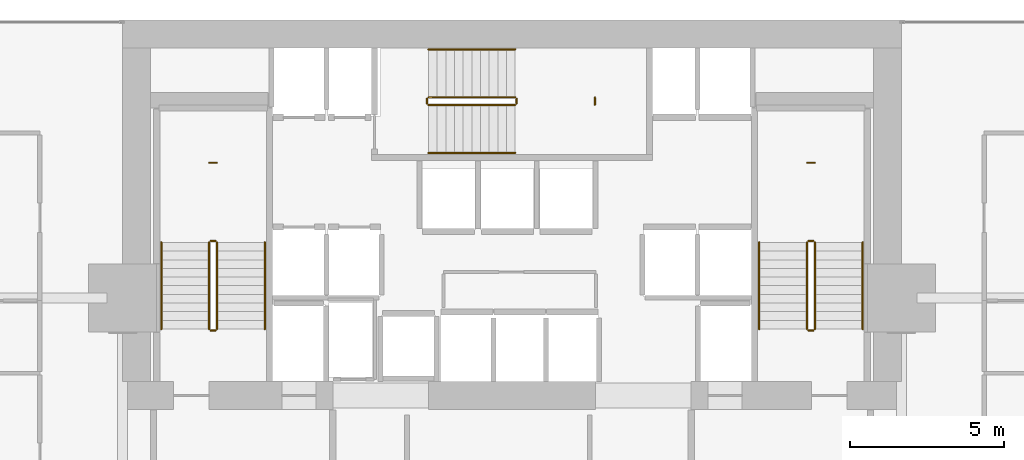
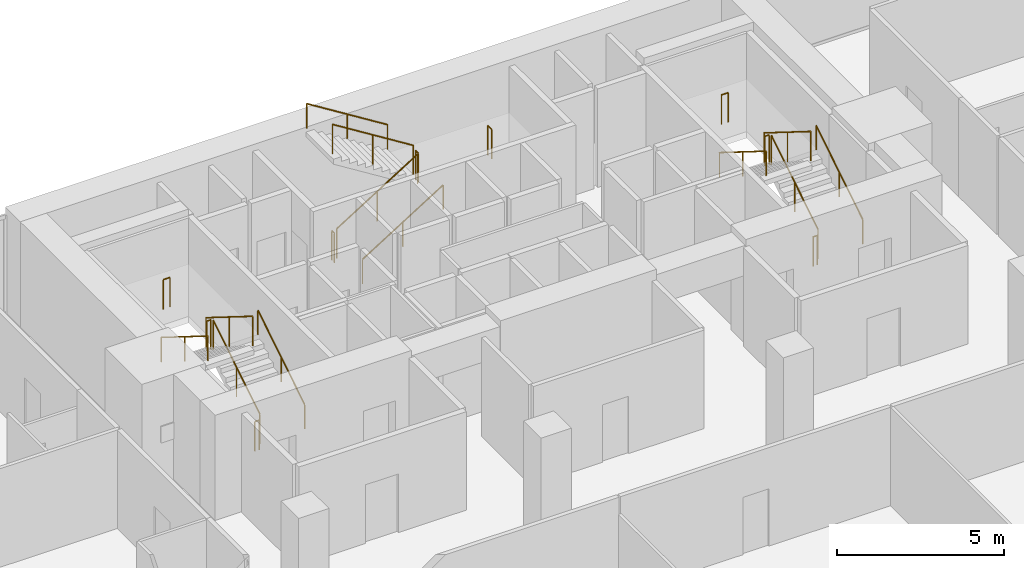
# One storey, part 40 of 40: 21 railings.
"""IFC4 building model written with IfcOpenShell, lengths in metres."""

from ifc_helpers import new_model, si_unit, direction, frame, origin, origin_2d, place, context, subcontext, project, spatial, circle, extrude, material, type_object, element, save


model = new_model("IFC4")

# Units and contexts
model_context = context("Model", 3, precision=1e-05, world=origin(), true_north=direction((0.0, 1.0)))
body_context = subcontext(model_context, "Body", "Model", "MODEL_VIEW")
ifc_project = project(units=[si_unit("LENGTHUNIT", "METRE"), si_unit("AREAUNIT", "SQUARE_METRE"), si_unit("VOLUMEUNIT", "CUBIC_METRE"), si_unit("PLANEANGLEUNIT", "RADIAN"), si_unit("MASSUNIT", "GRAM", prefix="KILO")], contexts=[model_context])

# Site, building, storey
site_placement = place(None, origin())
site = spatial("IfcSite", under=ifc_project, at=site_placement, CompositionType="ELEMENT")
building_placement = place(site_placement, origin())
building = spatial("IfcBuilding", under=site, at=building_placement, Name="Maruvema Waterfront Hotel and Observation Tower", CompositionType="ELEMENT")
storey_placement = place(building_placement, frame((0.0, 0.0, 53.89990234375)))
storey = spatial("IfcBuildingStorey", under=building, at=storey_placement, Name="L12", CompositionType="ELEMENT", Elevation=53.89990234375)

# Railings
ifc_material_1 = material(Name="Brushed stainless steel Grade 316", Category="steel")
railing_type_1 = type_object("IfcRailingType", Name="Ramp Continuous Wall Handrail 920 mm", PredefinedType="HANDRAIL", material=ifc_material_1)
railing_1_placement = place(storey_placement, frame((29.800048828125, 44.0, 0.175048828125)))
element("IfcRailing", 1, at=railing_1_placement, inside=storey, type_object=railing_type_1, Name="L12 ST-01 stair handrail 1", PredefinedType="HANDRAIL", context=body_context, shape_type="SweptSolid", body=[
    extrude(circle(Radius=0.02392578125, at=origin_2d()), frame((0.0, 0.0, 0.89599609375), z_axis=(0.0, 0.848002457836, 0.529992293815), x_axis=(-1.0, 0.0, 0.0)), (0.0, 0.0, 1.0), 3.302001953125),
    extrude(circle(Radius=0.02099609375, at=origin_2d()), origin(), (0.0, 0.0, 1.0), 0.871826171875),
    extrude(circle(Radius=0.02099609375, at=origin_2d()), frame((0.0, 1.39990234375, 0.875)), (0.0, 0.0, 1.0), 0.871826171875),
    extrude(circle(Radius=0.02099609375, at=origin_2d()), frame((0.0, 2.800048828125, 1.75)), (0.0, 0.0, 1.0), 0.871826171875),
])
railing_2_placement = place(storey_placement, frame((26.449951171875, 46.800048828125, 2.10009765625)))
element("IfcRailing", 2, at=railing_2_placement, inside=storey, type_object=railing_type_1, Name="L12 ST-01 stair handrail 2", PredefinedType="HANDRAIL", context=body_context, shape_type="SweptSolid", body=[
    extrude(circle(Radius=0.02392578125, at=origin_2d()), frame((0.0, 0.0, 0.89599609375), z_axis=(0.0, -0.848002457836, 0.529992293815), x_axis=(1.0, 0.0, 0.0)), (0.0, 0.0, 1.0), 3.302001953125),
    extrude(circle(Radius=0.02099609375, at=origin_2d()), origin(), (0.0, 0.0, 1.0), 0.871826171875),
    extrude(circle(Radius=0.02099609375, at=origin_2d()), frame((0.0, -1.39990234375, 0.875)), (0.0, 0.0, 1.0), 0.871826171875),
    extrude(circle(Radius=0.02099609375, at=origin_2d()), frame((0.0, -2.800048828125, 1.75)), (0.0, 0.0, 1.0), 0.871826171875),
])
railing_3_placement = place(storey_placement, frame((35.10009765625, 49.699951171875, 0.175048828125)))
element("IfcRailing", 3, at=railing_3_placement, inside=storey, type_object=railing_type_1, Name="L12 ST-02 stair handrail 1", PredefinedType="HANDRAIL", context=body_context, shape_type="SweptSolid", body=[
    extrude(circle(Radius=0.02392578125, at=origin_2d()), frame((0.0, 0.0, 0.89599609375), z_axis=(0.847981687118, 0.0, 0.530025526095), x_axis=(0.0, 1.0, 0.0)), (0.0, 0.0, 1.0), 3.3017578125),
    extrude(circle(Radius=0.02099609375, at=origin_2d()), origin(), (0.0, 0.0, 1.0), 0.871826171875),
    extrude(circle(Radius=0.02099609375, at=origin_2d()), frame((1.39990234375, 0.0, 0.875)), (0.0, 0.0, 1.0), 0.871826171875),
    extrude(circle(Radius=0.02099609375, at=origin_2d()), frame((2.7998046875, 0.0, 1.75)), (0.0, 0.0, 1.0), 0.871826171875),
])
railing_4_placement = place(storey_placement, frame((37.89990234375, 53.050048828125, 2.10009765625)))
element("IfcRailing", 4, at=railing_4_placement, inside=storey, type_object=railing_type_1, Name="L12 ST-02 stair handrail 2", PredefinedType="HANDRAIL", context=body_context, shape_type="SweptSolid", body=[
    extrude(circle(Radius=0.02392578125, at=origin_2d()), frame((0.0, 0.0, 0.89599609375), z_axis=(-0.847981687118, 0.0, 0.530025526095), x_axis=(0.0, -1.0, 0.0)), (0.0, 0.0, 1.0), 3.3017578125),
    extrude(circle(Radius=0.02099609375, at=origin_2d()), origin(), (0.0, 0.0, 1.0), 0.871826171875),
    extrude(circle(Radius=0.02099609375, at=origin_2d()), frame((-1.39990234375, 0.0, 0.875)), (0.0, 0.0, 1.0), 0.871826171875),
    extrude(circle(Radius=0.02099609375, at=origin_2d()), frame((-2.7998046875, 0.0, 1.75)), (0.0, 0.0, 1.0), 0.871826171875),
])
railing_5_placement = place(storey_placement, frame((49.14990234375, 44.0, 0.175048828125)))
element("IfcRailing", 5, at=railing_5_placement, inside=storey, type_object=railing_type_1, Name="L12 ST-03 stair handrail 1", PredefinedType="HANDRAIL", context=body_context, shape_type="SweptSolid", body=[
    extrude(circle(Radius=0.02392578125, at=origin_2d()), frame((0.0, 0.0, 0.89599609375), z_axis=(0.0, 0.848002457836, 0.529992293815), x_axis=(-1.0, 0.0, 0.0)), (0.0, 0.0, 1.0), 3.302001953125),
    extrude(circle(Radius=0.02099609375, at=origin_2d()), origin(), (0.0, 0.0, 1.0), 0.871826171875),
    extrude(circle(Radius=0.02099609375, at=origin_2d()), frame((0.0, 1.39990234375, 0.875)), (0.0, 0.0, 1.0), 0.871826171875),
    extrude(circle(Radius=0.02099609375, at=origin_2d()), frame((0.0, 2.800048828125, 1.75)), (0.0, 0.0, 1.0), 0.871826171875),
])
railing_6_placement = place(storey_placement, frame((45.800048828125, 46.800048828125, 2.10009765625)))
element("IfcRailing", 6, at=railing_6_placement, inside=storey, type_object=railing_type_1, Name="L12 ST-03 stair handrail 2", PredefinedType="HANDRAIL", context=body_context, shape_type="SweptSolid", body=[
    extrude(circle(Radius=0.02392578125, at=origin_2d()), frame((0.0, 0.0, 0.89599609375), z_axis=(0.0, -0.848002457836, 0.529992293815), x_axis=(1.0, 0.0, 0.0)), (0.0, 0.0, 1.0), 3.302001953125),
    extrude(circle(Radius=0.02099609375, at=origin_2d()), origin(), (0.0, 0.0, 1.0), 0.871826171875),
    extrude(circle(Radius=0.02099609375, at=origin_2d()), frame((0.0, -1.39990234375, 0.875)), (0.0, 0.0, 1.0), 0.871826171875),
    extrude(circle(Radius=0.02099609375, at=origin_2d()), frame((0.0, -2.800048828125, 1.75)), (0.0, 0.0, 1.0), 0.871826171875),
])
ifc_material_2 = material(Name="Brushed stainless steel Grade 316", Category="steel")
railing_type_2 = type_object("IfcRailingType", Name="Ramp and Terrace Guard Balustrade 1100 mm", PredefinedType="BALUSTRADE", material=ifc_material_2)
railing_7_placement = place(storey_placement, frame((28.25, 44.0, 0.175048828125)))
element("IfcRailing", 7, at=railing_7_placement, inside=storey, type_object=railing_type_2, Name="L12 ST-01 stair guard 1", PredefinedType="BALUSTRADE", context=body_context, shape_type="SweptSolid", body=[
    extrude(circle(Radius=0.02392578125, at=origin_2d()), frame((0.0, 0.0, 1.076171875), z_axis=(0.0, 0.848002457836, 0.529992293815), x_axis=(-1.0, 0.0, 0.0)), (0.0, 0.0, 1.0), 3.302001953125),
    extrude(circle(Radius=0.02099609375, at=origin_2d()), origin(), (0.0, 0.0, 1.0), 1.052001953125),
    extrude(circle(Radius=0.02099609375, at=origin_2d()), frame((0.0, 1.39990234375, 0.875)), (0.0, 0.0, 1.0), 1.052001953125),
    extrude(circle(Radius=0.02099609375, at=origin_2d()), frame((0.0, 2.800048828125, 1.75)), (0.0, 0.0, 1.0), 1.052001953125),
])
railing_8_placement = place(storey_placement, frame((28.199951171875, 46.85009765625, 1.925048828125)))
element("IfcRailing", 8, at=railing_8_placement, inside=storey, type_object=railing_type_2, Name="L12 ST-01 stair guard 2", PredefinedType="BALUSTRADE", context=body_context, shape_type="SweptSolid", body=[
    extrude(circle(Radius=0.02392578125, at=origin_2d()), frame((0.0, 0.0, 1.076171875), z_axis=(-1.0, 0.0, 0.0), x_axis=(0.0, -1.0, 0.0)), (0.0, 0.0, 1.0), 0.14990234375),
    extrude(circle(Radius=0.02099609375, at=origin_2d()), origin(), (0.0, 0.0, 1.0), 1.052001953125),
    extrude(circle(Radius=0.02099609375, at=origin_2d()), frame((-0.14990234375, 0.0, 0.0)), (0.0, 0.0, 1.0), 1.052001953125),
])
railing_9_placement = place(storey_placement, frame((28.0, 46.800048828125, 2.10009765625)))
element("IfcRailing", 9, at=railing_9_placement, inside=storey, type_object=railing_type_2, Name="L12 ST-01 stair guard 3", PredefinedType="BALUSTRADE", context=body_context, shape_type="SweptSolid", body=[
    extrude(circle(Radius=0.02392578125, at=origin_2d()), frame((0.0, 0.0, 1.076171875), z_axis=(0.0, -0.848002457836, 0.529992293815), x_axis=(1.0, 0.0, 0.0)), (0.0, 0.0, 1.0), 3.302001953125),
    extrude(circle(Radius=0.02099609375, at=origin_2d()), origin(), (0.0, 0.0, 1.0), 1.052001953125),
    extrude(circle(Radius=0.02099609375, at=origin_2d()), frame((0.0, -1.39990234375, 0.875)), (0.0, 0.0, 1.0), 1.052001953125),
    extrude(circle(Radius=0.02099609375, at=origin_2d()), frame((0.0, -2.800048828125, 1.75)), (0.0, 0.0, 1.0), 1.052001953125),
])
railing_10_placement = place(storey_placement, frame((28.199951171875, 43.949951171875, 0.0)))
element("IfcRailing", 10, at=railing_10_placement, inside=storey, type_object=railing_type_2, Name="L12 ST-01 stair guard 4", PredefinedType="BALUSTRADE", context=body_context, shape_type="SweptSolid", body=[
    extrude(circle(Radius=0.02392578125, at=origin_2d()), frame((0.0, 0.0, 1.076171875), z_axis=(-1.0, 0.0, 0.0), x_axis=(0.0, -1.0, 0.0)), (0.0, 0.0, 1.0), 0.14990234375),
    extrude(circle(Radius=0.02099609375, at=origin_2d()), origin(), (0.0, 0.0, 1.0), 1.052001953125),
    extrude(circle(Radius=0.02099609375, at=origin_2d()), frame((-0.14990234375, 0.0, 0.0)), (0.0, 0.0, 1.0), 1.052001953125),
])
railing_11_placement = place(storey_placement, frame((28.239990234375, 49.3798828125, 1.925048828125)))
element("IfcRailing", 11, at=railing_11_placement, inside=storey, type_object=railing_type_2, Name="L12 ST-01 Half-Landing Slot Guard", PredefinedType="BALUSTRADE", context=body_context, shape_type="SweptSolid", body=[
    extrude(circle(Radius=0.02392578125, at=origin_2d()), frame((0.0, 0.0, 1.076171875), z_axis=(-1.0, 0.0, 0.0), x_axis=(0.0, -1.0, 0.0)), (0.0, 0.0, 1.0), 0.22998046875),
    extrude(circle(Radius=0.02099609375, at=origin_2d()), origin(), (0.0, 0.0, 1.0), 1.052001953125),
    extrude(circle(Radius=0.02099609375, at=origin_2d()), frame((-0.22998046875, 0.0, 0.0)), (0.0, 0.0, 1.0), 1.052001953125),
])
railing_12_placement = place(storey_placement, frame((35.10009765625, 51.25, 0.175048828125)))
element("IfcRailing", 12, at=railing_12_placement, inside=storey, type_object=railing_type_2, Name="L12 ST-02 stair guard 1", PredefinedType="BALUSTRADE", context=body_context, shape_type="SweptSolid", body=[
    extrude(circle(Radius=0.02392578125, at=origin_2d()), frame((0.0, 0.0, 1.076171875), z_axis=(0.847981687118, 0.0, 0.530025526095), x_axis=(0.0, 1.0, 0.0)), (0.0, 0.0, 1.0), 3.3017578125),
    extrude(circle(Radius=0.02099609375, at=origin_2d()), origin(), (0.0, 0.0, 1.0), 1.052001953125),
    extrude(circle(Radius=0.02099609375, at=origin_2d()), frame((1.39990234375, 0.0, 0.875)), (0.0, 0.0, 1.0), 1.052001953125),
    extrude(circle(Radius=0.02099609375, at=origin_2d()), frame((2.7998046875, 0.0, 1.75)), (0.0, 0.0, 1.0), 1.052001953125),
])
railing_13_placement = place(storey_placement, frame((37.949951171875, 51.300048828125, 1.925048828125)))
element("IfcRailing", 13, at=railing_13_placement, inside=storey, type_object=railing_type_2, Name="L12 ST-02 stair guard 2", PredefinedType="BALUSTRADE", context=body_context, shape_type="SweptSolid", body=[
    extrude(circle(Radius=0.02392578125, at=origin_2d()), frame((0.0, 0.0, 1.076171875), z_axis=(0.0, 1.0, 0.0), x_axis=(-1.0, 0.0, 0.0)), (0.0, 0.0, 1.0), 0.14990234375),
    extrude(circle(Radius=0.02099609375, at=origin_2d()), origin(), (0.0, 0.0, 1.0), 1.052001953125),
    extrude(circle(Radius=0.02099609375, at=origin_2d()), frame((0.0, 0.14990234375, 0.0)), (0.0, 0.0, 1.0), 1.052001953125),
])
railing_14_placement = place(storey_placement, frame((37.89990234375, 51.5, 2.10009765625)))
element("IfcRailing", 14, at=railing_14_placement, inside=storey, type_object=railing_type_2, Name="L12 ST-02 stair guard 3", PredefinedType="BALUSTRADE", context=body_context, shape_type="SweptSolid", body=[
    extrude(circle(Radius=0.02392578125, at=origin_2d()), frame((0.0, 0.0, 1.076171875), z_axis=(-0.847981687118, 0.0, 0.530025526095), x_axis=(0.0, -1.0, 0.0)), (0.0, 0.0, 1.0), 3.3017578125),
    extrude(circle(Radius=0.02099609375, at=origin_2d()), origin(), (0.0, 0.0, 1.0), 1.052001953125),
    extrude(circle(Radius=0.02099609375, at=origin_2d()), frame((-1.39990234375, 0.0, 0.875)), (0.0, 0.0, 1.0), 1.052001953125),
    extrude(circle(Radius=0.02099609375, at=origin_2d()), frame((-2.7998046875, 0.0, 1.75)), (0.0, 0.0, 1.0), 1.052001953125),
])
railing_15_placement = place(storey_placement, frame((35.050048828125, 51.300048828125, 0.0)))
element("IfcRailing", 15, at=railing_15_placement, inside=storey, type_object=railing_type_2, Name="L12 ST-02 stair guard 4", PredefinedType="BALUSTRADE", context=body_context, shape_type="SweptSolid", body=[
    extrude(circle(Radius=0.02392578125, at=origin_2d()), frame((0.0, 0.0, 1.076171875), z_axis=(0.0, 1.0, 0.0), x_axis=(-1.0, 0.0, 0.0)), (0.0, 0.0, 1.0), 0.14990234375),
    extrude(circle(Radius=0.02099609375, at=origin_2d()), origin(), (0.0, 0.0, 1.0), 1.052001953125),
    extrude(circle(Radius=0.02099609375, at=origin_2d()), frame((0.0, 0.14990234375, 0.0)), (0.0, 0.0, 1.0), 1.052001953125),
])
railing_16_placement = place(storey_placement, frame((40.47998046875, 51.260009765625, 1.925048828125)))
element("IfcRailing", 16, at=railing_16_placement, inside=storey, type_object=railing_type_2, Name="L12 ST-02 Half-Landing Slot Guard", PredefinedType="BALUSTRADE", context=body_context, shape_type="SweptSolid", body=[
    extrude(circle(Radius=0.02392578125, at=origin_2d()), frame((0.0, 0.0, 1.076171875), z_axis=(0.0, 1.0, 0.0), x_axis=(-1.0, 0.0, 0.0)), (0.0, 0.0, 1.0), 0.22998046875),
    extrude(circle(Radius=0.02099609375, at=origin_2d()), origin(), (0.0, 0.0, 1.0), 1.052001953125),
    extrude(circle(Radius=0.02099609375, at=origin_2d()), frame((0.0, 0.22998046875, 0.0)), (0.0, 0.0, 1.0), 1.052001953125),
])
railing_17_placement = place(storey_placement, frame((47.60009765625, 44.0, 0.175048828125)))
element("IfcRailing", 17, at=railing_17_placement, inside=storey, type_object=railing_type_2, Name="L12 ST-03 stair guard 1", PredefinedType="BALUSTRADE", context=body_context, shape_type="SweptSolid", body=[
    extrude(circle(Radius=0.02392578125, at=origin_2d()), frame((0.0, 0.0, 1.076171875), z_axis=(0.0, 0.848002457836, 0.529992293815), x_axis=(-1.0, 0.0, 0.0)), (0.0, 0.0, 1.0), 3.302001953125),
    extrude(circle(Radius=0.02099609375, at=origin_2d()), origin(), (0.0, 0.0, 1.0), 1.052001953125),
    extrude(circle(Radius=0.02099609375, at=origin_2d()), frame((0.0, 1.39990234375, 0.875)), (0.0, 0.0, 1.0), 1.052001953125),
    extrude(circle(Radius=0.02099609375, at=origin_2d()), frame((0.0, 2.800048828125, 1.75)), (0.0, 0.0, 1.0), 1.052001953125),
])
railing_18_placement = place(storey_placement, frame((47.550048828125, 46.85009765625, 1.925048828125)))
element("IfcRailing", 18, at=railing_18_placement, inside=storey, type_object=railing_type_2, Name="L12 ST-03 stair guard 2", PredefinedType="BALUSTRADE", context=body_context, shape_type="SweptSolid", body=[
    extrude(circle(Radius=0.02392578125, at=origin_2d()), frame((0.0, 0.0, 1.076171875), z_axis=(-1.0, 0.0, 0.0), x_axis=(0.0, -1.0, 0.0)), (0.0, 0.0, 1.0), 0.150146484375),
    extrude(circle(Radius=0.02099609375, at=origin_2d()), origin(), (0.0, 0.0, 1.0), 1.052001953125),
    extrude(circle(Radius=0.02099609375, at=origin_2d()), frame((-0.150146484375, 0.0, 0.0)), (0.0, 0.0, 1.0), 1.052001953125),
])
railing_19_placement = place(storey_placement, frame((47.35009765625, 46.800048828125, 2.10009765625)))
element("IfcRailing", 19, at=railing_19_placement, inside=storey, type_object=railing_type_2, Name="L12 ST-03 stair guard 3", PredefinedType="BALUSTRADE", context=body_context, shape_type="SweptSolid", body=[
    extrude(circle(Radius=0.02392578125, at=origin_2d()), frame((0.0, 0.0, 1.076171875), z_axis=(0.0, -0.848002457836, 0.529992293815), x_axis=(1.0, 0.0, 0.0)), (0.0, 0.0, 1.0), 3.302001953125),
    extrude(circle(Radius=0.02099609375, at=origin_2d()), origin(), (0.0, 0.0, 1.0), 1.052001953125),
    extrude(circle(Radius=0.02099609375, at=origin_2d()), frame((0.0, -1.39990234375, 0.875)), (0.0, 0.0, 1.0), 1.052001953125),
    extrude(circle(Radius=0.02099609375, at=origin_2d()), frame((0.0, -2.800048828125, 1.75)), (0.0, 0.0, 1.0), 1.052001953125),
])
railing_20_placement = place(storey_placement, frame((47.550048828125, 43.949951171875, 0.0)))
element("IfcRailing", 20, at=railing_20_placement, inside=storey, type_object=railing_type_2, Name="L12 ST-03 stair guard 4", PredefinedType="BALUSTRADE", context=body_context, shape_type="SweptSolid", body=[
    extrude(circle(Radius=0.02392578125, at=origin_2d()), frame((0.0, 0.0, 1.076171875), z_axis=(-1.0, 0.0, 0.0), x_axis=(0.0, -1.0, 0.0)), (0.0, 0.0, 1.0), 0.150146484375),
    extrude(circle(Radius=0.02099609375, at=origin_2d()), origin(), (0.0, 0.0, 1.0), 1.052001953125),
    extrude(circle(Radius=0.02099609375, at=origin_2d()), frame((-0.150146484375, 0.0, 0.0)), (0.0, 0.0, 1.0), 1.052001953125),
])
railing_21_placement = place(storey_placement, frame((47.590087890625, 49.3798828125, 1.925048828125)))
element("IfcRailing", 21, at=railing_21_placement, inside=storey, type_object=railing_type_2, Name="L12 ST-03 Half-Landing Slot Guard", PredefinedType="BALUSTRADE", context=body_context, shape_type="SweptSolid", body=[
    extrude(circle(Radius=0.02392578125, at=origin_2d()), frame((0.0, 0.0, 1.076171875), z_axis=(-1.0, 0.0, 0.0), x_axis=(0.0, -1.0, 0.0)), (0.0, 0.0, 1.0), 0.22998046875),
    extrude(circle(Radius=0.02099609375, at=origin_2d()), origin(), (0.0, 0.0, 1.0), 1.052001953125),
    extrude(circle(Radius=0.02099609375, at=origin_2d()), frame((-0.22998046875, 0.0, 0.0)), (0.0, 0.0, 1.0), 1.052001953125),
])

save(model, "model.ifc")
